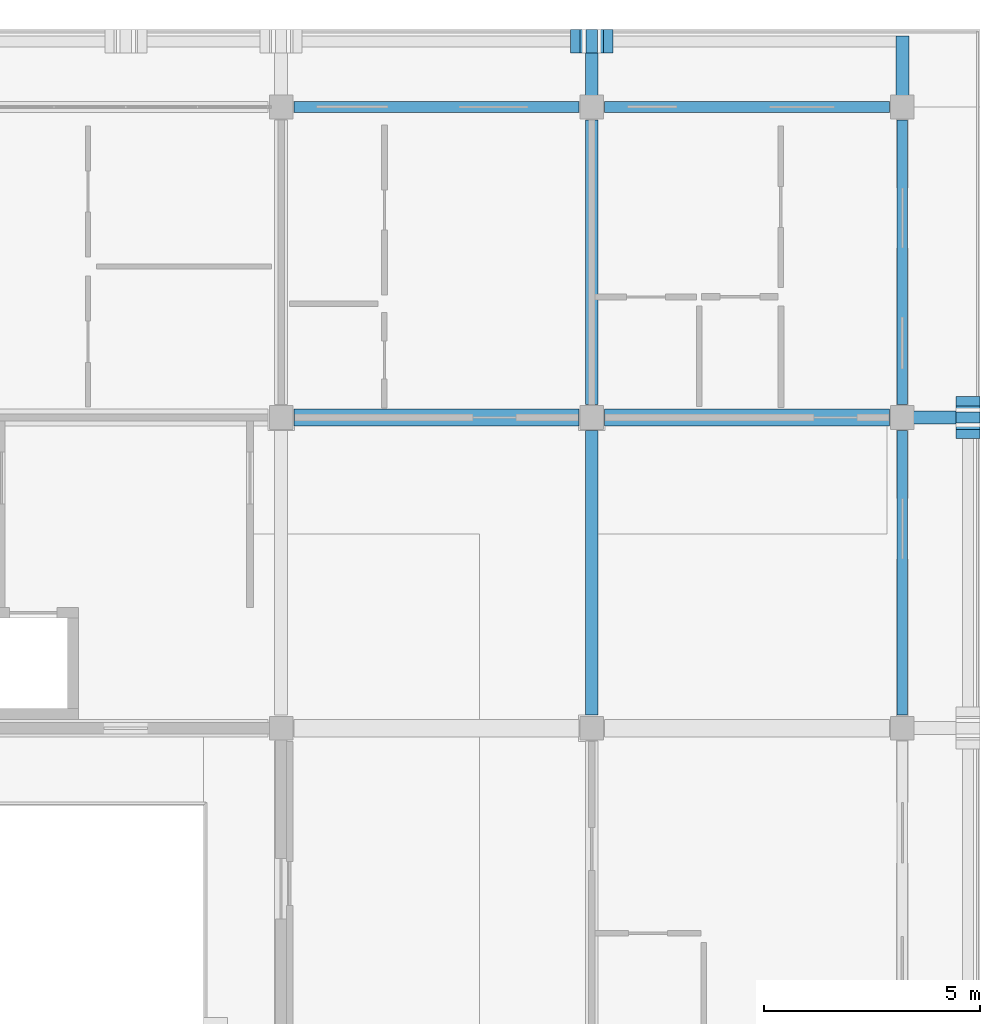
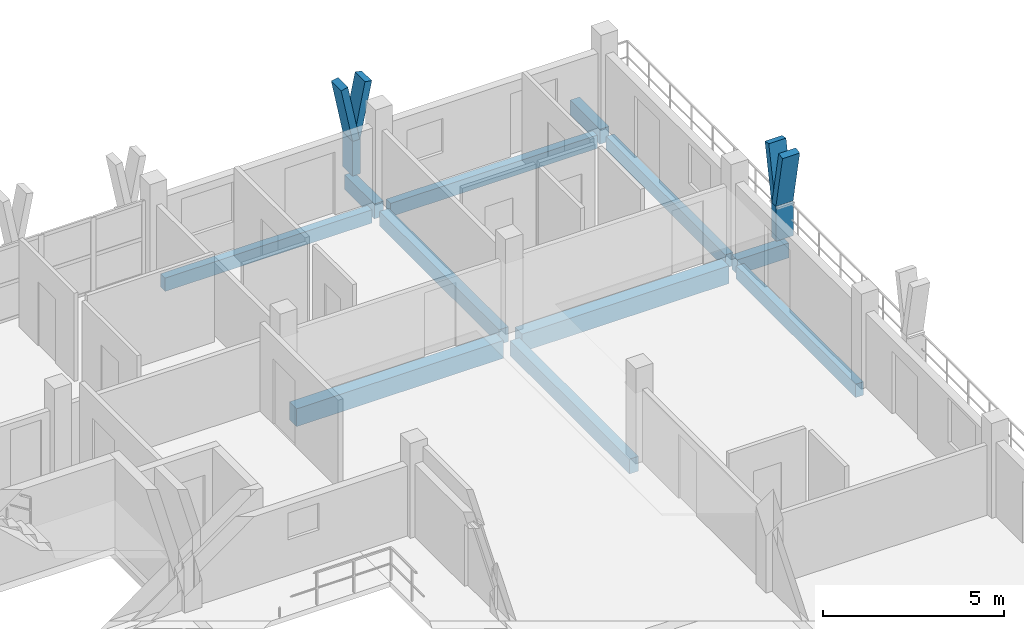
# One storey, part 28 of 73: 11 beams, 6 members.
"""IFC4 building model written with IfcOpenShell, lengths in metres."""

from ifc_helpers import new_model, si_unit, direction, frame, origin, origin_2d, place, context, subcontext, project, spatial, rectangle, extrude, material, material_profile, profile_set, type_object, element, save


model = new_model("IFC4")

# Units and contexts
model_context = context("Model", 3, precision=1e-05, world=origin(), true_north=direction((0.0, 1.0)))
body_context = subcontext(model_context, "Body", "Model", "MODEL_VIEW")
ifc_project = project(units=[si_unit("LENGTHUNIT", "METRE"), si_unit("AREAUNIT", "SQUARE_METRE"), si_unit("VOLUMEUNIT", "CUBIC_METRE"), si_unit("PLANEANGLEUNIT", "RADIAN"), si_unit("MASSUNIT", "GRAM", prefix="KILO")], contexts=[model_context])

# Site, building, storey
site_placement = place(None, origin())
site = spatial("IfcSite", under=ifc_project, at=site_placement, CompositionType="ELEMENT")
building_placement = place(site_placement, origin())
building = spatial("IfcBuilding", under=site, at=building_placement, Name="Suanplinth Sawtooth Commons", CompositionType="ELEMENT")
storey_placement = place(building_placement, frame((0.0, 0.0, 21.89990234375)))
storey = spatial("IfcBuildingStorey", under=building, at=storey_placement, Name="L06", CompositionType="ELEMENT", Elevation=21.89990234375)

# Beams
ifc_material_1 = material(Name="Precast concrete C40/50", Category="concrete")
ifc_material_profile_1 = material_profile(ifc_material_1, rectangle(XDim=0.39990234375, YDim=0.60009765625, at=origin_2d()), Name="PC-GDR 400x600")
ifc_profile_set_1 = profile_set([ifc_material_profile_1], Name="Precast concrete C40/50")
beam_type_1 = type_object("IfcBeamType", Name="B-05", PredefinedType="USERDEFINED", material=ifc_profile_set_1)
for number, where, z_axis, x_axis, name in (
    (1, (173.10009765625, 115.199951171875, -0.539794921875), (1.0, 0.0, 0.0), (0.0, 1.0, 0.0), "BMX-L06-B-24-16"),
    (2, (180.300048828125, 115.199951171875, -0.539794921875), (1.0, 0.0, 0.0), (0.0, 1.0, 0.0), "BMX-L06-B-25-16"),
):
    element("IfcBeam", number, at=place(storey_placement, frame(where, z_axis=z_axis, x_axis=x_axis)), inside=storey, type_object=beam_type_1, Name=name, ObjectType="GIRDER", PredefinedType="USERDEFINED", context=body_context, shape_type="SweptSolid", body=[
        extrude(rectangle(XDim=0.39990234375, YDim=0.60009765625, at=origin_2d()), origin(), (0.0, 0.0, 1.0), 6.599853515625),
    ])
ifc_material_profile_2 = material_profile(ifc_material_1, rectangle(XDim=0.300048828125, YDim=0.5, at=origin_2d()), Name="PC-BM 300x500")
ifc_profile_set_2 = profile_set([ifc_material_profile_2], Name="Precast concrete C40/50")
beam_type_2 = type_object("IfcBeamType", Name="B-07", PredefinedType="BEAM", material=ifc_profile_set_2)
beam_1_placement = place(storey_placement, frame((180.0, 108.300048828125, -0.489990234375), z_axis=(0.0, 1.0, 0.0), x_axis=(-1.0, 0.0, 0.0)))
element("IfcBeam", 3, at=beam_1_placement, inside=storey, type_object=beam_type_2, Name="BMY-L06-B-25-15", PredefinedType="BEAM", context=body_context, shape_type="SweptSolid", body=[
    extrude(rectangle(XDim=0.300048828125, YDim=0.5, at=origin_2d()), origin(), (0.0, 0.0, 1.0), 6.599853515625),
])
beam_2_placement = place(storey_placement, frame((180.0, 115.5, -0.489990234375), z_axis=(0.0, 1.0, 0.0), x_axis=(-1.0, 0.0, 0.0)))
element("IfcBeam", 4, at=beam_2_placement, inside=storey, type_object=beam_type_2, Name="BMY-L06-B-25-16", PredefinedType="BEAM", context=body_context, shape_type="SweptSolid", body=[
    extrude(rectangle(XDim=0.300048828125, YDim=0.5, at=origin_2d()), origin(), (0.0, 0.0, 1.0), 6.60009765625),
])
for number, where, z_axis, x_axis, name in (
    (5, (180.0, 122.39990234375, -0.429931640625), (0.0, 1.0, 0.0), (-1.0, 0.0, 0.0), "Balcony Outrigger L06-B-N-25"),
    (6, (187.199951171875, 122.39990234375, -0.429931640625), (0.0, 1.0, 0.0), (-1.0, 0.0, 0.0), "Balcony Outrigger L06-B-N-26"),
    (7, (187.199951171875, 115.199951171875, -0.429931640625), (1.0, 0.0, 0.0), (0.0, 1.0, 0.0), "Balcony Outrigger L06-B-E-16"),
):
    element("IfcBeam", number, at=place(storey_placement, frame(where, z_axis=z_axis, x_axis=x_axis)), inside=storey, type_object=beam_type_2, Name=name, PredefinedType="BEAM", context=body_context, shape_type="SweptSolid", body=[
        extrude(rectangle(XDim=0.300048828125, YDim=0.5, at=origin_2d()), origin(), (0.0, 0.0, 1.0), 1.64013671875),
    ])
ifc_material_profile_3 = material_profile(ifc_material_1, rectangle(XDim=0.25, YDim=0.449951171875, at=origin_2d()), Name="PC-SP 250x450")
ifc_profile_set_3 = profile_set([ifc_material_profile_3], Name="Precast concrete C40/50")
beam_type_3 = type_object("IfcBeamType", Name="B-09", PredefinedType="SPANDREL", material=ifc_profile_set_3)
for number, where, z_axis, x_axis, name in (
    (8, (173.10009765625, 122.39990234375, -0.46484375), (1.0, 0.0, 0.0), (0.0, 1.0, 0.0), "BMX-L06-B-24-17"),
    (9, (180.300048828125, 122.39990234375, -0.46484375), (1.0, 0.0, 0.0), (0.0, 1.0, 0.0), "BMX-L06-B-25-17"),
    (10, (187.199951171875, 108.300048828125, -0.46484375), (0.0, 1.0, 0.0), (-1.0, 0.0, 0.0), "BMY-L06-B-26-15"),
):
    element("IfcBeam", number, at=place(storey_placement, frame(where, z_axis=z_axis, x_axis=x_axis)), inside=storey, type_object=beam_type_3, Name=name, PredefinedType="SPANDREL", context=body_context, shape_type="SweptSolid", body=[
        extrude(rectangle(XDim=0.25, YDim=0.449951171875, at=origin_2d()), origin(), (0.0, 0.0, 1.0), 6.599853515625),
    ])
beam_3_placement = place(storey_placement, frame((187.199951171875, 115.5, -0.46484375), z_axis=(0.0, 1.0, 0.0), x_axis=(-1.0, 0.0, 0.0)))
element("IfcBeam", 11, at=beam_3_placement, inside=storey, type_object=beam_type_3, Name="BMY-L06-B-26-16", PredefinedType="SPANDREL", context=body_context, shape_type="SweptSolid", body=[
    extrude(rectangle(XDim=0.25, YDim=0.449951171875, at=origin_2d()), origin(), (0.0, 0.0, 1.0), 6.60009765625),
])

# Members
ifc_material_2 = material(Name="Pigmented precast concrete C40/50", Category="concrete")
ifc_material_profile_4 = material_profile(ifc_material_2, rectangle(XDim=0.260009765625, YDim=0.550048828125, at=origin_2d()), Name="PC-FIN 260x550")
ifc_profile_set_4 = profile_set([ifc_material_profile_4], Name="Pigmented precast concrete C40/50")
member_type_1 = type_object("IfcMemberType", Name="M-09", PredefinedType="USERDEFINED", material=ifc_profile_set_4)
for number, where, z_axis, x_axis, name in (
    (12, (180.0, 123.919921875, 0.0), (0.0, 0.0, 1.0), (1.0, 0.0, 0.0), "Y-Blade Stem L06-B-N-07"),
    (13, (188.719970703125, 115.199951171875, 0.0), (0.0, 0.0, 1.0), (0.0, 1.0, 0.0), "Y-Blade Stem L06-B-E-11"),
):
    element("IfcMember", number, at=place(storey_placement, frame(where, z_axis=z_axis, x_axis=x_axis)), inside=storey, type_object=member_type_1, Name=name, ObjectType="SHADING FIN", PredefinedType="USERDEFINED", context=body_context, shape_type="SweptSolid", body=[
        extrude(rectangle(XDim=0.260009765625, YDim=0.550048828125, at=origin_2d()), origin(), (0.0, 0.0, 1.0), 1.170166015625),
    ])
ifc_material_profile_5 = material_profile(ifc_material_2, rectangle(XDim=0.219970703125, YDim=0.550048828125, at=origin_2d()), Name="PC-FIN 220x550")
ifc_profile_set_5 = profile_set([ifc_material_profile_5], Name="Pigmented precast concrete C40/50")
member_type_2 = type_object("IfcMemberType", Name="M-10", PredefinedType="USERDEFINED", material=ifc_profile_set_5)
for number, where, z_axis, x_axis, name in (
    (14, (180.0, 123.919921875, 1.130126953125), (-0.196431120402, 0.0, 0.980517626021), (0.980517626021, 0.0, 0.196431120402), "Y-Blade Arm L L06-B-N-07"),
    (15, (180.0, 123.919921875, 1.130126953125), (0.196431120402, 0.0, 0.980517626021), (-0.980517626021, 0.0, 0.196431120402), "Y-Blade Arm R L06-B-N-07"),
):
    element("IfcMember", number, at=place(storey_placement, frame(where, z_axis=z_axis, x_axis=x_axis)), inside=storey, type_object=member_type_2, Name=name, ObjectType="SHADING FIN", PredefinedType="USERDEFINED", context=body_context, shape_type="SweptSolid", body=[
        extrude(rectangle(XDim=0.219970703125, YDim=0.550048828125, at=origin_2d()), origin(), (0.0, 0.0, 1.0), 1.937744140625),
    ])
member_1_placement = place(storey_placement, frame((188.719970703125, 115.199951171875, 1.130126953125), z_axis=(0.0, -0.196309979414, 0.980541886909), x_axis=(0.0, 0.980541886909, 0.196309979414)))
element("IfcMember", 16, at=member_1_placement, inside=storey, type_object=member_type_2, Name="Y-Blade Arm L L06-B-E-11", ObjectType="SHADING FIN", PredefinedType="USERDEFINED", context=body_context, shape_type="SweptSolid", body=[
    extrude(rectangle(XDim=0.219970703125, YDim=0.550048828125, at=origin_2d()), origin(), (0.0, 0.0, 1.0), 1.9375),
])
member_2_placement = place(storey_placement, frame((188.719970703125, 115.199951171875, 1.130126953125), z_axis=(0.0, 0.196431120402, 0.980517626021), x_axis=(0.0, -0.980517626021, 0.196431120402)))
element("IfcMember", 17, at=member_2_placement, inside=storey, type_object=member_type_2, Name="Y-Blade Arm R L06-B-E-11", ObjectType="SHADING FIN", PredefinedType="USERDEFINED", context=body_context, shape_type="SweptSolid", body=[
    extrude(rectangle(XDim=0.219970703125, YDim=0.550048828125, at=origin_2d()), origin(), (0.0, 0.0, 1.0), 1.937744140625),
])

save(model, "model.ifc")
